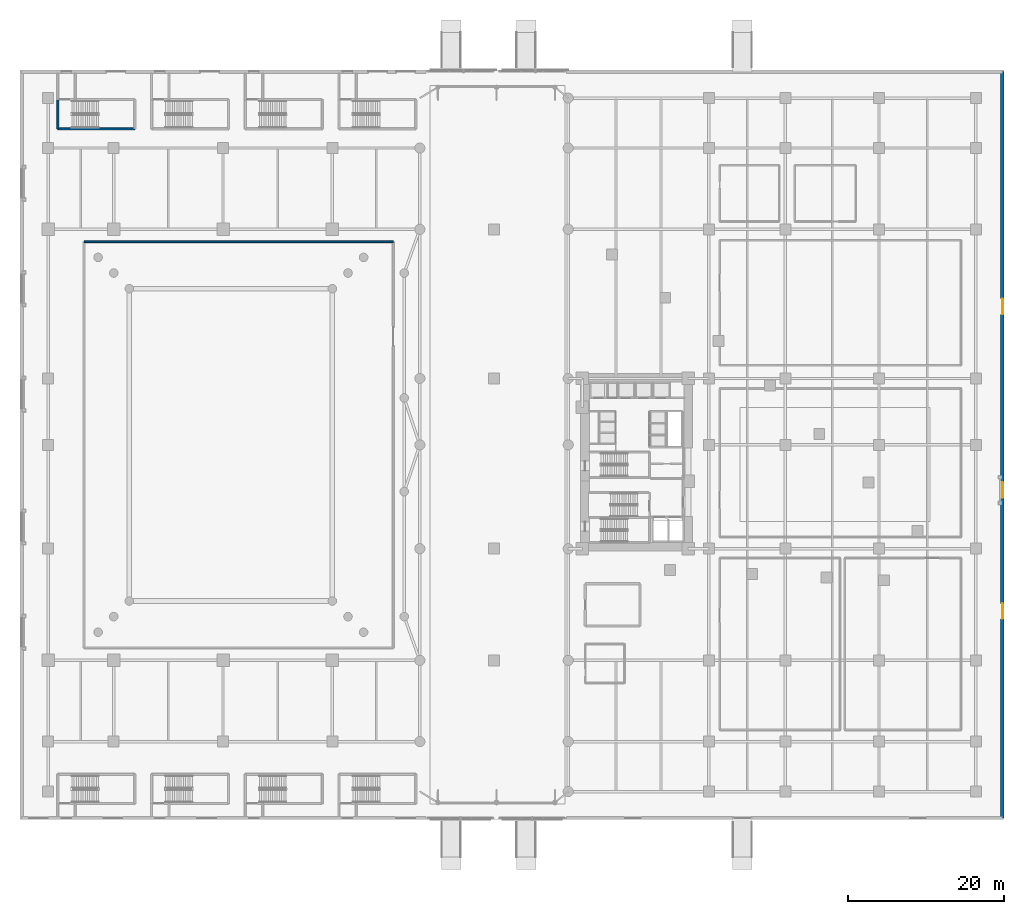
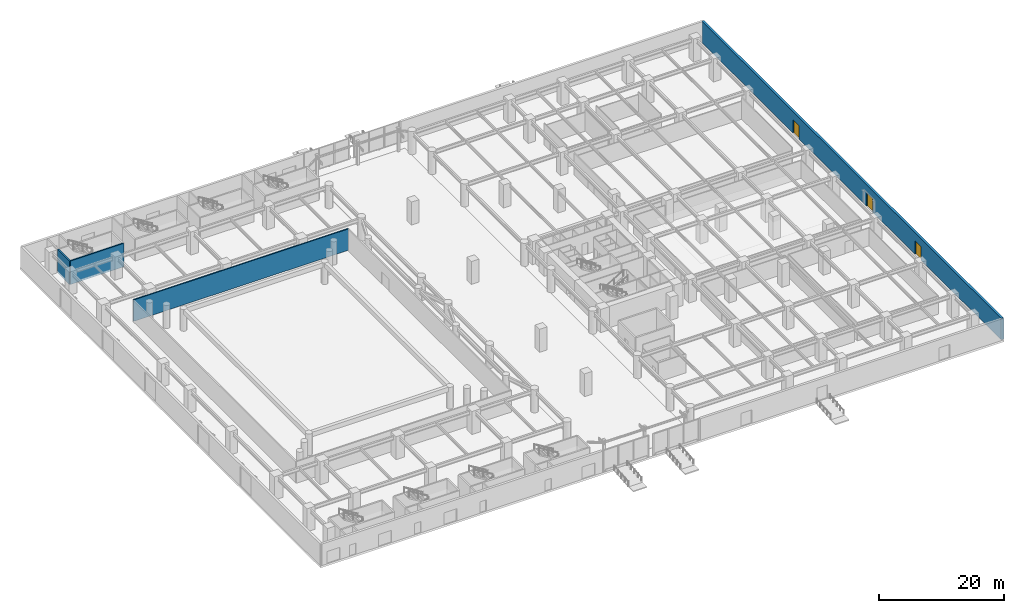
# One storey, part 24 of 42: 4 walls, 3 doors, 3 openings.
"""IFC4 building model written with IfcOpenShell, lengths in metres."""

import ifcopenshell
import ifcopenshell.guid

model = None  # the IFC model being written
_history = None  # IfcOwnerHistory: only IFC2X3 demands one
_inside = {}  # id of a spatial element -> (the spatial element, [elements in it])
_under = {}  # id of a project, library or spatial element -> (it, [spatial elements below it])
_declared = {}  # id of a project -> (the project, [libraries it declares])
_typed = {}  # id of a type object -> (the type object, [elements of that type])
_made_of = {}  # id of a material, layer set ... -> (it, [elements and type objects made of it])


def new_model(schema):
    """Start an empty IFC model of exactly this schema.

    Asked for "IFC4X3", IfcOpenShell would pick the latest addendum, in which some entities
    have other attributes; the version numbers below select the first issue.
    IFC2X3 requires an IfcOwnerHistory on every rooted entity: one is made here for all.
    """
    global model, _history
    if schema == "IFC4X3":
        model = ifcopenshell.file(schema_version=(4, 3, 0, 0))
    else:
        model = ifcopenshell.file(schema=schema)
    _inside.clear()
    _under.clear()
    _declared.clear()
    _typed.clear()
    _made_of.clear()
    _history = None
    if model.schema == "IFC2X3":
        org = make("IfcOrganization", Name="unknown")
        user = make(
            "IfcPersonAndOrganization",
            ThePerson=make("IfcPerson", FamilyName="unknown"),
            TheOrganization=org,
        )
        app = make(
            "IfcApplication",
            ApplicationDeveloper=org,
            Version="unknown",
            ApplicationFullName="unknown",
            ApplicationIdentifier="unknown",
        )
        _history = make(
            "IfcOwnerHistory",
            OwningUser=user,
            OwningApplication=app,
            ChangeAction="ADDED",
            CreationDate=0,
        )
    return model


def make(cls, **values):
    """One entity of the class cls with the attributes given. An attribute that is None is left unset."""
    return model.create_entity(
        cls, **{name: value for name, value in values.items() if value is not None}
    )


def rooted(cls, **values):
    """An entity with a GlobalId (a new one), such as an element, a storey or a relation."""
    return make(cls, GlobalId=ifcopenshell.guid.new(), OwnerHistory=_history, **values)


def si_unit(unit_type, name, prefix=None):
    """IfcSIUnit, for example si_unit("LENGTHUNIT", "METRE", prefix="MILLI")."""
    return make("IfcSIUnit", UnitType=unit_type, Prefix=prefix, Name=name)


def assignment(units):
    """IfcUnitAssignment: the units of a project."""
    return None if units is None else make("IfcUnitAssignment", Units=units)


def point(xyz):
    """IfcCartesianPoint."""
    return None if xyz is None else make("IfcCartesianPoint", Coordinates=xyz)


def direction(xyz):
    """IfcDirection."""
    return None if xyz is None else make("IfcDirection", DirectionRatios=xyz)


def frame(location, z_axis=None, x_axis=None):
    """IfcAxis2Placement3D, a coordinate frame: its origin and axes. An axis left out is left unset."""
    return make(
        "IfcAxis2Placement3D",
        Location=point(location),
        Axis=direction(z_axis),
        RefDirection=direction(x_axis),
    )


def frame_2d(location, x_axis=None):
    """IfcAxis2Placement2D, a coordinate frame in the plane: its origin and x axis."""
    return make(
        "IfcAxis2Placement2D", Location=point(location), RefDirection=direction(x_axis)
    )


def origin():
    """The frame at (0, 0, 0) with its axes left unset."""
    return frame((0.0, 0.0, 0.0))


def place(relative_to, where):
    """IfcLocalPlacement: puts the frame where relative to a parent placement (None: the world)."""
    return make(
        "IfcLocalPlacement", PlacementRelTo=relative_to, RelativePlacement=where
    )


def context(
    kind, dimensions, precision=None, world=None, true_north=None, identifier=None
):
    """IfcGeometricRepresentationContext, for example the 3D "Model" context."""
    return make(
        "IfcGeometricRepresentationContext",
        ContextIdentifier=identifier,
        ContextType=kind,
        CoordinateSpaceDimension=dimensions,
        Precision=precision,
        WorldCoordinateSystem=world,
        TrueNorth=true_north,
    )


def subcontext(parent, identifier, kind, view, scale=None):
    """IfcGeometricRepresentationSubContext, for example "Body" below "Model"."""
    return make(
        "IfcGeometricRepresentationSubContext",
        ContextIdentifier=identifier,
        ContextType=kind,
        ParentContext=parent,
        TargetScale=scale,
        TargetView=view,
    )


def project(units=None, contexts=None):
    """IfcProject with its units and contexts."""
    return rooted(
        "IfcProject",
        Name="project",
        RepresentationContexts=contexts,
        UnitsInContext=assignment(units),
    )


def spatial(cls, under=None, at=None, **own):
    """A site, building, storey or space (cls), placed at a placement, below another one or the project."""
    s = rooted(cls, ObjectPlacement=at, **own)
    if under is not None:
        _under.setdefault(under.id(), (under, []))[1].append(s)
    return s


def profile(cls, at=None, kind="AREA", **sizes):
    """A parametric profile (cls). Its sizes go by their IFC names, for example OverallWidth=200.0."""
    return make(cls, ProfileType=kind, Position=at, **sizes)


def rectangle(**sizes):
    """IfcRectangleProfileDef."""
    return profile("IfcRectangleProfileDef", **sizes)


def extrude(swept, where, along, depth):
    """IfcExtrudedAreaSolid: the profile swept, set in the frame where, extruded along a direction by depth."""
    return make(
        "IfcExtrudedAreaSolid",
        SweptArea=swept,
        Position=where,
        ExtrudedDirection=direction(along),
        Depth=depth,
    )


def shape(context_of_items, identifier, shape_type, items):
    """IfcShapeRepresentation: the items that make up one representation, for example the "Body"."""
    return make(
        "IfcShapeRepresentation",
        ContextOfItems=context_of_items,
        RepresentationIdentifier=identifier,
        RepresentationType=shape_type,
        Items=items,
    )


def material(Name=None, Category=None):
    """IfcMaterial."""
    return make("IfcMaterial", Name=Name, Category=Category)


def layer(
    of_material, thickness, ventilated=None, Name=None, Category=None, Priority=None
):
    """IfcMaterialLayer: one layer of a wall or slab, of a material (None: an air gap)."""
    return make(
        "IfcMaterialLayer",
        Material=of_material,
        LayerThickness=thickness,
        IsVentilated=ventilated,
        Name=Name,
        Category=Category,
        Priority=Priority,
    )


def layer_set(layers, Name=None):
    """IfcMaterialLayerSet."""
    return make("IfcMaterialLayerSet", MaterialLayers=layers, LayerSetName=Name)


def made_of(thing, what):
    """Note that an element or type object is made of a material, layer set ...; save() writes the relation."""
    if what is not None:
        _made_of.setdefault(what.id(), (what, []))[1].append(thing)
    return thing


def type_object(cls, material=None, **own):
    """A type object (cls), such as IfcWallType, which elements share."""
    return made_of(rooted(cls, **own), material)


def element(
    cls,
    number,
    at=None,
    inside=None,
    cuts=None,
    type_object=None,
    material=None,
    context=None,
    identifier="Body",
    shape_type=None,
    held_by="IfcProductDefinitionShape",
    body=None,
    shapes=None,
    **own,
):
    """One element of the class cls, such as IfcWall. Its Tag is "e" and its number.

    at: its placement. inside: the storey or other place that contains it. cuts: it is an
    opening in that element (IfcRelVoidsElement). A single representation is given by context,
    identifier, shape_type and body (its items); several are given by shapes. held_by: the class
    of the entity that holds the representations. save() writes the other relations.
    """
    e = rooted(cls, Tag="e%d" % number, ObjectPlacement=at, **own)
    if body is not None:
        shapes = [shape(context, identifier, shape_type, body)]
    if shapes is not None:
        e.Representation = make(held_by, Representations=shapes)
    if inside is not None:
        _inside.setdefault(inside.id(), (inside, []))[1].append(e)
    if cuts is not None:
        rooted(
            "IfcRelVoidsElement", RelatingBuildingElement=cuts, RelatedOpeningElement=e
        )
    if type_object is not None:
        _typed.setdefault(type_object.id(), (type_object, []))[1].append(e)
    return made_of(e, material)


def fill(opening, filler):
    """IfcRelFillsElement: the door or window that sits in an opening."""
    return rooted(
        "IfcRelFillsElement",
        RelatingOpeningElement=opening,
        RelatedBuildingElement=filler,
    )


def aggregate(whole, parts):
    """IfcRelAggregates: a whole, such as a stair, and the parts it consists of."""
    return rooted("IfcRelAggregates", RelatingObject=whole, RelatedObjects=parts)


def save(model, path):
    """Write the relations noted so far, then the file.

    IfcRelAggregates (storeys below a building ...), IfcRelContainedInSpatialStructure (elements
    in a storey), IfcRelDefinesByType, IfcRelAssociatesMaterial and IfcRelDeclares: one each for
    every whole, place, type object, material and project.
    """
    for whole, parts in _under.values():
        aggregate(whole, parts)
    for where, things in _inside.values():
        rooted(
            "IfcRelContainedInSpatialStructure",
            RelatedElements=things,
            RelatingStructure=where,
        )
    for kind, things in _typed.values():
        rooted("IfcRelDefinesByType", RelatedObjects=things, RelatingType=kind)
    for what, things in _made_of.values():
        rooted("IfcRelAssociatesMaterial", RelatedObjects=things, RelatingMaterial=what)
    for by, libraries in _declared.values():
        rooted("IfcRelDeclares", RelatingContext=by, RelatedDefinitions=libraries)
    model.write(path)


model = new_model("IFC4")

# Units and contexts
model_context = context("Model", 3, precision=1e-05, world=origin(), true_north=direction((0.0, 1.0)))
body_context = subcontext(model_context, "Body", "Model", "MODEL_VIEW")
ifc_project = project(units=[si_unit("LENGTHUNIT", "METRE"), si_unit("AREAUNIT", "SQUARE_METRE"), si_unit("VOLUMEUNIT", "CUBIC_METRE"), si_unit("PLANEANGLEUNIT", "RADIAN"), si_unit("MASSUNIT", "GRAM", prefix="KILO")], contexts=[model_context])

# Site, building, storey
site_placement = place(None, origin())
site = spatial("IfcSite", under=ifc_project, at=site_placement, CompositionType="ELEMENT")
building_placement = place(site_placement, origin())
building = spatial("IfcBuilding", under=site, at=building_placement, Name="Narakoshi Arena Tower", CompositionType="ELEMENT")
storey_placement = place(building_placement, origin())
storey = spatial("IfcBuildingStorey", under=building, at=storey_placement, Name="L00", CompositionType="ELEMENT", Elevation=0.0)

# Wall
ifc_material_1 = material(Name="Concrete C40/50", Category="concrete")
ifc_layer_1 = layer(ifc_material_1, 0.219970703125)
ifc_layer_set_1 = layer_set([ifc_layer_1], Name="Concrete C40/50")
wall_type_1 = type_object("IfcWallType", Name="WL-COMP-220", PredefinedType="SOLIDWALL", material=ifc_layer_set_1)
wall_1_placement = place(storey_placement, frame((47.800048828125, 74.0, 0.0), z_axis=(0.0, 0.0, 1.0), x_axis=(-1.0, 0.0, 0.0)))
element("IfcWall", 1, at=wall_1_placement, inside=storey, type_object=wall_type_1, Name="L00 Arena Grand Foyer Wall N", PredefinedType="SOLIDWALL", context=body_context, shape_type="SweptSolid", body=[
    extrude(rectangle(XDim=39.60009765625, YDim=0.219970703125, at=frame_2d((19.800048828125, 0.0))), origin(), (0.0, 0.0, 1.0), 4.179931640625),
])

# Wall, openings, doors
ifc_material_2 = material(Name="Precast concrete C45/55", Category="concrete")
ifc_layer_2 = layer(ifc_material_2, 0.419921875)
ifc_layer_set_2 = layer_set([ifc_layer_2], Name="Precast concrete C45/55")
wall_type_2 = type_object("IfcWallType", Name="WL-POD-420", PredefinedType="SOLIDWALL", material=ifc_layer_set_2)
wall_2_placement = place(storey_placement, frame((125.7900390625, 0.2099609375, 0.0), z_axis=(0.0, 0.0, 1.0), x_axis=(0.0, 1.0, 0.0)))
wall_2 = element("IfcWall", 2, at=wall_2_placement, inside=storey, type_object=wall_type_2, Name="L00 Podium Precast Facade Wall E", PredefinedType="SOLIDWALL", context=body_context, shape_type="SweptSolid", body=[
    extrude(rectangle(XDim=95.580078125, YDim=0.419921875, at=frame_2d((47.7900390625, 0.0))), origin(), (0.0, 0.0, 1.0), 4.179931640625),
])
opening_1_placement = place(wall_2_placement, frame((25.5, 0.0, 0.0)))
opening_1 = element("IfcOpeningElement", 3, at=opening_1_placement, cuts=wall_2, Name="Opening D-01", PredefinedType="OPENING", context=body_context, shape_type="SweptSolid", body=[
    extrude(rectangle(XDim=2.0, YDim=2.60009765625, at=frame_2d((1.0, 1.300048828125))), frame((0.0, 0.219970703125, 0.0), z_axis=(0.0, -1.0, 0.0), x_axis=(1.0, 0.0, 0.0)), (0.0, 0.0, 1.0), 0.43994140625),
])
opening_2_placement = place(wall_2_placement, frame((41.0, 0.0, 0.0)))
opening_2 = element("IfcOpeningElement", 4, at=opening_2_placement, cuts=wall_2, Name="Opening D-01", PredefinedType="OPENING", context=body_context, shape_type="SweptSolid", body=[
    extrude(rectangle(XDim=2.0, YDim=2.60009765625, at=frame_2d((1.0, 1.300048828125))), frame((0.0, 0.219970703125, 0.0), z_axis=(0.0, -1.0, 0.0), x_axis=(1.0, 0.0, 0.0)), (0.0, 0.0, 1.0), 0.43994140625),
])
opening_3_placement = place(wall_2_placement, frame((64.5, 0.0, 0.0)))
opening_3 = element("IfcOpeningElement", 5, at=opening_3_placement, cuts=wall_2, Name="Opening D-01", PredefinedType="OPENING", context=body_context, shape_type="SweptSolid", body=[
    extrude(rectangle(XDim=2.0, YDim=2.60009765625, at=frame_2d((1.0, 1.300048828125))), frame((0.0, 0.219970703125, 0.0), z_axis=(0.0, -1.0, 0.0), x_axis=(1.0, 0.0, 0.0)), (0.0, 0.0, 1.0), 0.43994140625),
])
ifc_material_3 = material(Name="Anodised bronze aluminium 6063-T6", Category="aluminium")
door_type = type_object("IfcDoorType", Name="DR-ENT-2000", OperationType="DOUBLE_DOOR_SINGLE_SWING", PredefinedType="DOOR", material=ifc_material_3)
door_1_placement = place(opening_1_placement, frame((2.0, 0.0, 0.0), z_axis=(0.0, 0.0, 1.0), x_axis=(-1.0, 0.0, 0.0)))
door_1 = element("IfcDoor", 6, at=door_1_placement, inside=storey, type_object=door_type, Name="DR-L00-020", OperationType="DOUBLE_DOOR_SINGLE_SWING", OverallHeight=2.60009765625, OverallWidth=2.0, PredefinedType="DOOR", context=body_context, shape_type="SweptSolid", body=[
    extrude(rectangle(XDim=2.0, YDim=2.60009765625, at=frame_2d((1.0, 1.300048828125))), frame((0.0, 0.02490234375, 0.0), z_axis=(0.0, -1.0, 0.0), x_axis=(1.0, 0.0, 0.0)), (0.0, 0.0, 1.0), 0.050048828125),
])
fill(opening_1, door_1)
door_2_placement = place(opening_2_placement, frame((2.0, 0.0, 0.0), z_axis=(0.0, 0.0, 1.0), x_axis=(-1.0, 0.0, 0.0)))
door_2 = element("IfcDoor", 7, at=door_2_placement, inside=storey, type_object=door_type, Name="DR-L00-021", OperationType="DOUBLE_DOOR_SINGLE_SWING", OverallHeight=2.60009765625, OverallWidth=2.0, PredefinedType="DOOR", context=body_context, shape_type="SweptSolid", body=[
    extrude(rectangle(XDim=2.0, YDim=2.60009765625, at=frame_2d((1.0, 1.300048828125))), frame((0.0, 0.02490234375, 0.0), z_axis=(0.0, -1.0, 0.0), x_axis=(1.0, 0.0, 0.0)), (0.0, 0.0, 1.0), 0.050048828125),
])
fill(opening_2, door_2)
door_3_placement = place(opening_3_placement, frame((2.0, 0.0, 0.0), z_axis=(0.0, 0.0, 1.0), x_axis=(-1.0, 0.0, 0.0)))
door_3 = element("IfcDoor", 8, at=door_3_placement, inside=storey, type_object=door_type, Name="DR-L00-022", OperationType="DOUBLE_DOOR_SINGLE_SWING", OverallHeight=2.60009765625, OverallWidth=2.0, PredefinedType="DOOR", context=body_context, shape_type="SweptSolid", body=[
    extrude(rectangle(XDim=2.0, YDim=2.60009765625, at=frame_2d((1.0, 1.300048828125))), frame((0.0, 0.02490234375, 0.0), z_axis=(0.0, -1.0, 0.0), x_axis=(1.0, 0.0, 0.0)), (0.0, 0.0, 1.0), 0.050048828125),
])
fill(opening_3, door_3)

# Walls
ifc_material_4 = material(Name="Concrete C50/60", Category="concrete")
ifc_layer_3 = layer(ifc_material_4, 0.35009765625)
ifc_layer_set_3 = layer_set([ifc_layer_3], Name="Concrete C50/60")
wall_type_3 = type_object("IfcWallType", Name="WL-SHAFT-350", PredefinedType="SOLIDWALL", material=ifc_layer_set_3)
wall_3_placement = place(storey_placement, frame((4.85009765625, 88.449951171875, -0.39990234375), z_axis=(0.0, 0.0, 1.0), x_axis=(0.0, 1.0, 0.0)))
element("IfcWall", 9, at=wall_3_placement, inside=storey, type_object=wall_type_3, Name="L00 AST5 Enclosure Wall W", PredefinedType="SOLIDWALL", context=body_context, shape_type="SweptSolid", body=[
    extrude(rectangle(XDim=3.75, YDim=0.25, at=frame_2d((1.875, 0.0))), origin(), (0.0, 0.0, 1.0), 4.579833984375),
])
wall_4_placement = place(storey_placement, frame((4.85009765625, 88.449951171875, -0.39990234375), z_axis=(0.0, 0.0, 1.0), x_axis=(1.0, 0.0, 0.0)))
element("IfcWall", 10, at=wall_4_placement, inside=storey, type_object=wall_type_3, Name="L00 AST5 Landing Door Wall", PredefinedType="SOLIDWALL", context=body_context, shape_type="SweptSolid", body=[
    extrude(rectangle(XDim=9.849853515625, YDim=0.25, at=frame_2d((4.9248046875, 0.0))), origin(), (0.0, 0.0, 1.0), 4.579833984375),
])

save(model, "model.ifc")
